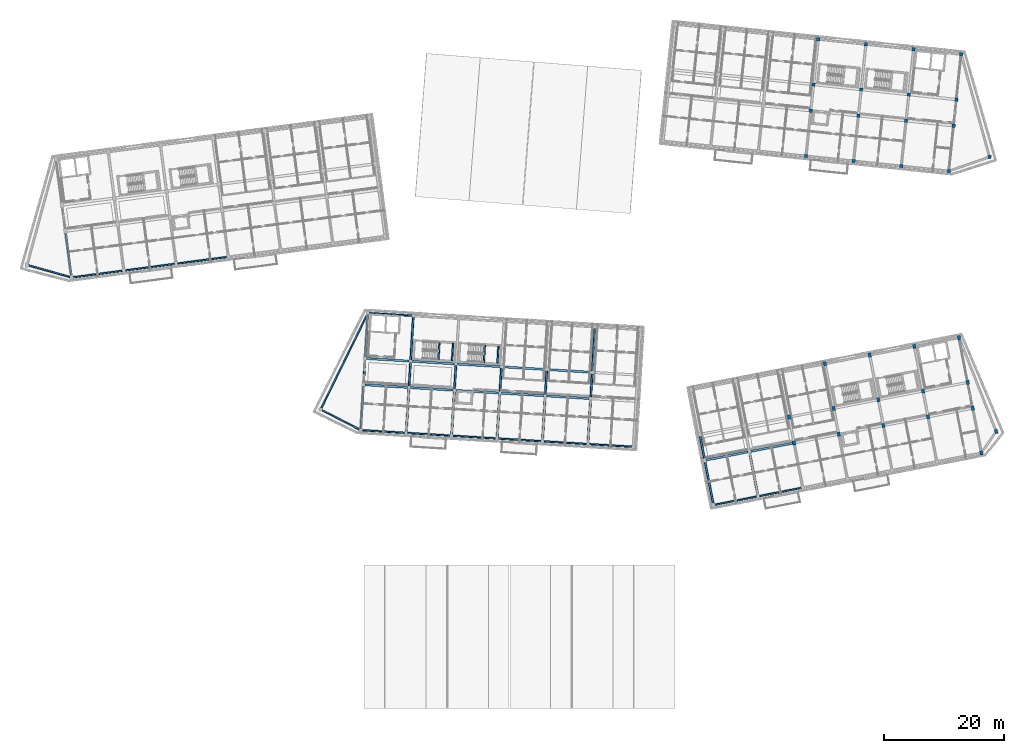
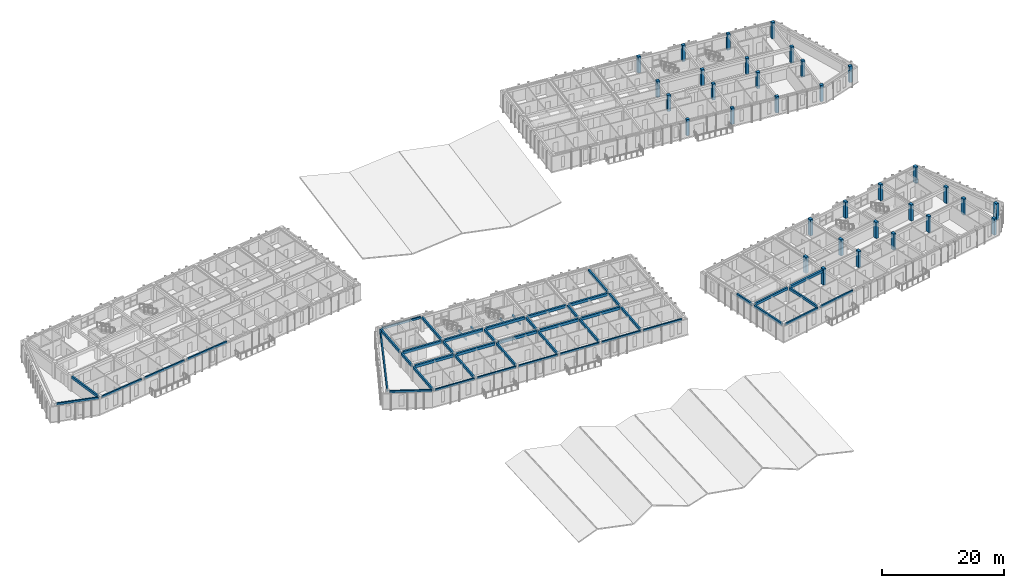
# One storey, part 2 of 74: 50 beams, 33 columns.
"""IFC4 building model written with IfcOpenShell, lengths in metres."""

from ifc_helpers import new_model, si_unit, direction, frame, origin, origin_2d, place, context, subcontext, project, spatial, rectangle, extrude, material, material_profile, profile_set, type_object, element, save


model = new_model("IFC4")

# Units and contexts
model_context = context("Model", 3, precision=1e-05, world=origin(), true_north=direction((0.0, 1.0)))
body_context = subcontext(model_context, "Body", "Model", "MODEL_VIEW")
ifc_project = project(units=[si_unit("LENGTHUNIT", "METRE"), si_unit("AREAUNIT", "SQUARE_METRE"), si_unit("VOLUMEUNIT", "CUBIC_METRE"), si_unit("PLANEANGLEUNIT", "RADIAN"), si_unit("MASSUNIT", "GRAM", prefix="KILO")], contexts=[model_context])

# Site, building, storey
site_placement = place(None, origin())
site = spatial("IfcSite", under=ifc_project, at=site_placement, CompositionType="ELEMENT")
building_placement = place(site_placement, origin())
building = spatial("IfcBuilding", under=site, at=building_placement, Name="Kestramere Prow Commons", CompositionType="ELEMENT")
storey_placement = place(building_placement, frame((0.0, 0.0, 11.64990234375)))
storey = spatial("IfcBuildingStorey", under=building, at=storey_placement, Name="L03", CompositionType="ELEMENT", Elevation=11.64990234375)

# Columns
ifc_material_1 = material(Name="Precast concrete C40/50", Category="concrete")
ifc_material_profile_1 = material_profile(ifc_material_1, rectangle(XDim=0.550048828125, YDim=0.550048828125, at=origin_2d()), Name="PC-COL 550x550")
ifc_profile_set_1 = profile_set([ifc_material_profile_1], Name="Precast concrete C40/50")
column_type_1 = type_object("IfcColumnType", Name="C-B2 PC-COL 550x550", PredefinedType="COLUMN", material=ifc_profile_set_1)
for number, where, z_axis, x_axis, name in (
    (1, (133.868408203125, 92.291259765625, 0.0), (0.0, 0.0, 1.0), (0.994521895368, -0.104528463268, 0.0), "Block B L03 Column 4-1"),
    (2, (134.662841796875, 99.849609375, 0.0), (0.0, 0.0, 1.0), (0.994521895368, -0.104528463268, 0.0), "Block B L03 Column 4-2"),
    (3, (135.122802734375, 104.2255859375, 0.0), (0.0, 0.0, 1.0), (0.994521895368, -0.104528463268, 0.0), "Block B L03 Column 4-3"),
    (4, (135.917236328125, 111.783935546875, 0.0), (0.0, 0.0, 1.0), (0.994521895368, -0.104528463268, 0.0), "Block B L03 Column 4-4"),
    (5, (141.82470703125, 91.455078125, 0.0), (0.0, 0.0, 1.0), (0.994521895368, -0.104528463268, 0.0), "Block B L03 Column 5-1"),
    (6, (142.619140625, 99.013427734375, 0.0), (0.0, 0.0, 1.0), (0.994521895368, -0.104528463268, 0.0), "Block B L03 Column 5-2"),
    (7, (143.0791015625, 103.389404296875, 0.0), (0.0, 0.0, 1.0), (0.994521895368, -0.104528463268, 0.0), "Block B L03 Column 5-3"),
    (8, (143.87353515625, 110.94775390625, 0.0), (0.0, 0.0, 1.0), (0.994521895368, -0.104528463268, 0.0), "Block B L03 Column 5-4"),
    (9, (149.78076171875, 90.618896484375, 0.0), (0.0, 0.0, 1.0), (0.994521895368, -0.104528463268, 0.0), "Block B L03 Column 6-1"),
    (10, (150.5751953125, 98.17724609375, 0.0), (0.0, 0.0, 1.0), (0.994521895368, -0.104528463268, 0.0), "Block B L03 Column 6-2"),
    (11, (151.03515625, 102.55322265625, 0.0), (0.0, 0.0, 1.0), (0.994521895368, -0.104528463268, 0.0), "Block B L03 Column 6-3"),
    (12, (151.82958984375, 110.111572265625, 0.0), (0.0, 0.0, 1.0), (0.994521895368, -0.104528463268, 0.0), "Block B L03 Column 6-4"),
    (13, (157.737060546875, 89.78271484375, 0.0), (0.0, 0.0, 1.0), (0.994521895368, -0.104528463268, 0.0), "Block B L03 Column 7-1"),
    (14, (158.531494140625, 97.341064453125, 0.0), (0.0, 0.0, 1.0), (0.994521895368, -0.104528463268, 0.0), "Block B L03 Column 7-2"),
    (15, (158.991455078125, 101.716796875, 0.0), (0.0, 0.0, 1.0), (0.994521895368, -0.104528463268, 0.0), "Block B L03 Column 7-3"),
    (16, (159.785888671875, 109.275146484375, 0.0), (0.0, 0.0, 1.0), (0.994521895368, -0.104528463268, 0.0), "Block B L03 Column 7-4"),
    (17, (164.520263671875, 92.136474609375, 0.0), (0.0, 0.0, 1.0), (0.994521895368, -0.104528463268, 0.0), "Block B L03 Prow Apex Column"),
):
    element("IfcColumn", number, at=place(storey_placement, frame(where, z_axis=z_axis, x_axis=x_axis)), inside=storey, type_object=column_type_1, Name=name, PredefinedType="COLUMN", context=body_context, shape_type="SweptSolid", body=[
        extrude(rectangle(XDim=0.550048828125, YDim=0.550048828125, at=origin_2d()), origin(), (0.0, 0.0, 1.0), 3.25),
    ])
ifc_material_profile_2 = material_profile(ifc_material_1, rectangle(XDim=0.5, YDim=0.699951171875, at=origin_2d()), Name="PC-COL 500x700")
ifc_profile_set_2 = profile_set([ifc_material_profile_2], Name="Precast concrete C40/50")
column_type_2 = type_object("IfcColumnType", Name="C-D2 PC-COL 500x700", PredefinedType="COLUMN", material=ifc_profile_set_2)
for number, where, z_axis, x_axis, name in (
    (18, (131.87060546875, 44.360595703125, 0.0), (0.0, 0.0, 1.0), (0.981627183448, 0.190808995377, 0.0), "Block D L03 Column 3-2"),
    (19, (131.031005859375, 48.679931640625, 0.0), (0.0, 0.0, 1.0), (0.981627183448, 0.190808995377, 0.0), "Block D L03 Column 3-3"),
    (20, (139.3310546875, 45.810791015625, 0.0), (0.0, 0.0, 1.0), (0.981627183448, 0.190808995377, 0.0), "Block D L03 Column 4-2"),
    (21, (138.491455078125, 50.1298828125, 0.0), (0.0, 0.0, 1.0), (0.981627183448, 0.190808995377, 0.0), "Block D L03 Column 4-3"),
    (22, (137.041259765625, 57.59033203125, 0.0), (0.0, 0.0, 1.0), (0.981627183448, 0.190808995377, 0.0), "Block D L03 Column 4-4"),
    (23, (146.791259765625, 47.260986328125, 0.0), (0.0, 0.0, 1.0), (0.981627183448, 0.190808995377, 0.0), "Block D L03 Column 5-2"),
    (24, (145.95166015625, 51.580078125, 0.0), (0.0, 0.0, 1.0), (0.981627183448, 0.190808995377, 0.0), "Block D L03 Column 5-3"),
    (25, (144.501708984375, 59.04052734375, 0.0), (0.0, 0.0, 1.0), (0.981627183448, 0.190808995377, 0.0), "Block D L03 Column 5-4"),
    (26, (154.251708984375, 48.711181640625, 0.0), (0.0, 0.0, 1.0), (0.981627183448, 0.190808995377, 0.0), "Block D L03 Column 6-2"),
    (27, (153.412109375, 53.0302734375, 0.0), (0.0, 0.0, 1.0), (0.981627183448, 0.190808995377, 0.0), "Block D L03 Column 6-3"),
    (28, (151.9619140625, 60.49072265625, 0.0), (0.0, 0.0, 1.0), (0.981627183448, 0.190808995377, 0.0), "Block D L03 Column 6-4"),
    (29, (163.162109375, 42.700927734375, 0.0), (0.0, 0.0, 1.0), (0.981627183448, 0.190808995377, 0.0), "Block D L03 Column 7-1"),
    (30, (161.712158203125, 50.161376953125, 0.0), (0.0, 0.0, 1.0), (0.981627183448, 0.190808995377, 0.0), "Block D L03 Column 7-2"),
    (31, (160.87255859375, 54.48046875, 0.0), (0.0, 0.0, 1.0), (0.981627183448, 0.190808995377, 0.0), "Block D L03 Column 7-3"),
    (32, (159.42236328125, 61.940673828125, 0.0), (0.0, 0.0, 1.0), (0.981627183448, 0.190808995377, 0.0), "Block D L03 Column 7-4"),
    (33, (165.623291015625, 46.286376953125, 0.0), (0.0, 0.0, 1.0), (0.981627183448, 0.190808995377, 0.0), "Block D L03 Prow Apex Column"),
):
    element("IfcColumn", number, at=place(storey_placement, frame(where, z_axis=z_axis, x_axis=x_axis)), inside=storey, type_object=column_type_2, Name=name, PredefinedType="COLUMN", context=body_context, shape_type="SweptSolid", body=[
        extrude(rectangle(XDim=0.5, YDim=0.699951171875, at=origin_2d()), origin(), (0.0, 0.0, 1.0), 3.25),
    ])

# Beams
ifc_material_profile_3 = material_profile(ifc_material_1, rectangle(XDim=0.35009765625, YDim=0.550048828125, at=origin_2d()), Name="PC-BM 350x550")
ifc_profile_set_3 = profile_set([ifc_material_profile_3], Name="Precast concrete C40/50")
beam_type_1 = type_object("IfcBeamType", Name="BM-C1 PC-BM 350x550", PredefinedType="BEAM", material=ifc_profile_set_3)
for number, where, z_axis, x_axis, name in (
    (34, (60.213623046875, 54.070556640625, 2.72509765625), (0.998135568114, -0.061035953884, 0.0), (0.061035953884, 0.998135568114, 0.0), "Block C L03 Longitudinal Beam 2-1"),
    (35, (67.79931640625, 53.606689453125, 2.72509765625), (0.998133472633, -0.061070212127, 0.0), (0.061070212127, 0.998133472633, 0.0), "Block C L03 Longitudinal Beam 2-2"),
    (36, (75.38525390625, 53.142578125, 2.72509765625), (0.998135568114, -0.061035953884, 0.0), (0.061035953884, 0.998135568114, 0.0), "Block C L03 Longitudinal Beam 2-3"),
    (37, (82.970947265625, 52.6787109375, 2.72509765625), (0.998133472633, -0.061070212127, 0.0), (0.061070212127, 0.998133472633, 0.0), "Block C L03 Longitudinal Beam 2-4"),
    (38, (90.556884765625, 52.214599609375, 2.72509765625), (0.998135568114, -0.061035953884, 0.0), (0.061035953884, 0.998135568114, 0.0), "Block C L03 Longitudinal Beam 2-5"),
    (39, (60.482177734375, 58.46240234375, 2.72509765625), (0.998133472633, -0.061070212127, 0.0), (0.061070212127, 0.998133472633, 0.0), "Block C L03 Longitudinal Beam 3-1"),
):
    element("IfcBeam", number, at=place(storey_placement, frame(where, z_axis=z_axis, x_axis=x_axis)), inside=storey, type_object=beam_type_1, Name=name, PredefinedType="BEAM", context=body_context, shape_type="SweptSolid", body=[
        extrude(rectangle(XDim=0.35009765625, YDim=0.550048828125, at=origin_2d()), origin(), (0.0, 0.0, 1.0), 7.099853515625),
    ])
beam_1_placement = place(storey_placement, frame((68.06787109375, 57.998291015625, 2.72509765625), z_axis=(0.99813569621, -0.061033859059, 0.0), x_axis=(0.061033859059, 0.99813569621, 0.0)))
element("IfcBeam", 40, at=beam_1_placement, inside=storey, type_object=beam_type_1, Name="Block C L03 Longitudinal Beam 3-2", PredefinedType="BEAM", context=body_context, shape_type="SweptSolid", body=[
    extrude(rectangle(XDim=0.35009765625, YDim=0.550048828125, at=origin_2d()), origin(), (0.0, 0.0, 1.0), 7.10009765625),
])
beam_2_placement = place(storey_placement, frame((75.65380859375, 57.534423828125, 2.72509765625), z_axis=(0.998135568114, -0.061035953884, 0.0), x_axis=(0.061035953884, 0.998135568114, 0.0)))
element("IfcBeam", 41, at=beam_2_placement, inside=storey, type_object=beam_type_1, Name="Block C L03 Longitudinal Beam 3-3", PredefinedType="BEAM", context=body_context, shape_type="SweptSolid", body=[
    extrude(rectangle(XDim=0.35009765625, YDim=0.550048828125, at=origin_2d()), origin(), (0.0, 0.0, 1.0), 7.099853515625),
])
beam_3_placement = place(storey_placement, frame((83.239501953125, 57.070556640625, 2.72509765625), z_axis=(0.998133600873, -0.061068116134, 0.0), x_axis=(0.061068116134, 0.998133600873, 0.0)))
element("IfcBeam", 42, at=beam_3_placement, inside=storey, type_object=beam_type_1, Name="Block C L03 Longitudinal Beam 3-4", PredefinedType="BEAM", context=body_context, shape_type="SweptSolid", body=[
    extrude(rectangle(XDim=0.35009765625, YDim=0.550048828125, at=origin_2d()), origin(), (0.0, 0.0, 1.0), 7.10009765625),
])
beam_4_placement = place(storey_placement, frame((90.825439453125, 56.6064453125, 2.72509765625), z_axis=(0.998135568114, -0.061035953884, 0.0), x_axis=(0.061035953884, 0.998135568114, 0.0)))
element("IfcBeam", 43, at=beam_4_placement, inside=storey, type_object=beam_type_1, Name="Block C L03 Longitudinal Beam 3-5", PredefinedType="BEAM", context=body_context, shape_type="SweptSolid", body=[
    extrude(rectangle(XDim=0.35009765625, YDim=0.550048828125, at=origin_2d()), origin(), (0.0, 0.0, 1.0), 7.099853515625),
])
ifc_material_profile_4 = material_profile(ifc_material_1, rectangle(XDim=0.35009765625, YDim=0.5, at=origin_2d()), Name="PC-BM 350x500")
ifc_profile_set_4 = profile_set([ifc_material_profile_4], Name="Precast concrete C40/50")
beam_type_2 = type_object("IfcBeamType", Name="BM-D1 PC-BM 350x500", PredefinedType="BEAM", material=ifc_profile_set_4)
beam_5_placement = place(storey_placement, frame((117.1953125, 41.508056640625, 2.75), z_axis=(0.981627020401, 0.190809834175, 0.0), x_axis=(-0.190809834175, 0.981627020401, 0.0)))
element("IfcBeam", 44, at=beam_5_placement, inside=storey, type_object=beam_type_2, Name="Block D L03 Longitudinal Beam 2-1", PredefinedType="BEAM", context=body_context, shape_type="SweptSolid", body=[
    extrude(rectangle(XDim=0.35009765625, YDim=0.5, at=origin_2d()), origin(), (0.0, 0.0, 1.0), 7.099853515625),
])
beam_6_placement = place(storey_placement, frame((124.655517578125, 42.958251953125, 2.75), z_axis=(0.98162827229, 0.190803393686, 0.0), x_axis=(-0.190803393686, 0.98162827229, 0.0)))
element("IfcBeam", 45, at=beam_6_placement, inside=storey, type_object=beam_type_2, Name="Block D L03 Longitudinal Beam 2-2", PredefinedType="BEAM", context=body_context, shape_type="SweptSolid", body=[
    extrude(rectangle(XDim=0.35009765625, YDim=0.5, at=origin_2d()), origin(), (0.0, 0.0, 1.0), 7.10009765625),
])
ifc_material_2 = material(Name="Concrete C40/50", Category="concrete")
ifc_material_profile_5 = material_profile(ifc_material_2, rectangle(XDim=0.25, YDim=0.35009765625, at=origin_2d()), Name="PC-BM 250x350")
ifc_profile_set_5 = profile_set([ifc_material_profile_5], Name="Concrete C40/50")
beam_type_3 = type_object("IfcBeamType", Name="BM-ST-TRIM", PredefinedType="BEAM", material=ifc_profile_set_5)
for number, where, z_axis, x_axis, name in (
    (46, (72.462158203125, 58.260498046875, 1.25), (0.061073995712, 0.99813324113, 0.0), (-0.99813324113, 0.061073995712, 0.0), "ST-C1 L03 Landing Trimmer Beam 1A"),
    (47, (74.73779296875, 58.121337890625, 1.25), (0.061073995712, 0.99813324113, 0.0), (-0.99813324113, 0.061073995712, 0.0), "ST-C1 L03 Landing Trimmer Beam 1B"),
):
    element("IfcBeam", number, at=place(storey_placement, frame(where, z_axis=z_axis, x_axis=x_axis)), inside=storey, type_object=beam_type_3, Name=name, PredefinedType="BEAM", context=body_context, shape_type="SweptSolid", body=[
        extrude(rectangle(XDim=0.25, YDim=0.35009765625, at=origin_2d()), origin(), (0.0, 0.0, 1.0), 2.89013671875),
    ])
for number, where, z_axis, x_axis, name in (
    (48, (80.0478515625, 57.796630859375, 1.25), (0.06107914562, 0.998132926003, 0.0), (-0.998132926003, 0.06107914562, 0.0), "ST-C2 L03 Landing Trimmer Beam 1A"),
    (49, (82.32373046875, 57.657470703125, 1.25), (0.06107914562, 0.998132926003, 0.0), (-0.998132926003, 0.06107914562, 0.0), "ST-C2 L03 Landing Trimmer Beam 1B"),
):
    element("IfcBeam", number, at=place(storey_placement, frame(where, z_axis=z_axis, x_axis=x_axis)), inside=storey, type_object=beam_type_3, Name=name, PredefinedType="BEAM", context=body_context, shape_type="SweptSolid", body=[
        extrude(rectangle(XDim=0.25, YDim=0.35009765625, at=origin_2d()), origin(), (0.0, 0.0, 1.0), 2.889892578125),
    ])
ifc_material_profile_6 = material_profile(ifc_material_1, rectangle(XDim=0.300048828125, YDim=0.5, at=origin_2d()), Name="PC-BM 300x500")
ifc_profile_set_6 = profile_set([ifc_material_profile_6], Name="Precast concrete C40/50")
beam_type_4 = type_object("IfcBeamType", Name="BM-TIE-01 PC-BM 300x500", PredefinedType="BEAM", material=ifc_profile_set_6)
beam_7_placement = place(storey_placement, frame((11.151123046875, 72.371826171875, 2.75), z_axis=(-0.130519009654, 0.99144580695, 0.0), x_axis=(-0.99144580695, -0.130519009654, 0.0)))
element("IfcBeam", 50, at=beam_7_placement, inside=storey, type_object=beam_type_4, Name="Block A L03 Transverse Beam 1-1", PredefinedType="BEAM", context=body_context, shape_type="SweptSolid", body=[
    extrude(rectangle(XDim=0.300048828125, YDim=0.5, at=origin_2d()), origin(), (0.0, 0.0, 1.0), 7.050048828125),
])
beam_8_placement = place(storey_placement, frame((59.515380859375, 46.74951171875, 2.75), z_axis=(0.061035953884, 0.998135568114, 0.0), x_axis=(-0.998135568114, 0.061035953884, 0.0)))
element("IfcBeam", 51, at=beam_8_placement, inside=storey, type_object=beam_type_4, Name="Block C L03 Transverse Beam 1-1", PredefinedType="BEAM", context=body_context, shape_type="SweptSolid", body=[
    extrude(rectangle(XDim=0.300048828125, YDim=0.5, at=origin_2d()), origin(), (0.0, 0.0, 1.0), 7.099853515625),
])
beam_9_placement = place(storey_placement, frame((59.979248046875, 54.33544921875, 2.75), z_axis=(0.061037511668, 0.998135472854, 0.0), x_axis=(-0.998135472854, 0.061037511668, 0.0)))
element("IfcBeam", 52, at=beam_9_placement, inside=storey, type_object=beam_type_4, Name="Block C L03 Transverse Beam 1-2", PredefinedType="BEAM", context=body_context, shape_type="SweptSolid", body=[
    extrude(rectangle(XDim=0.300048828125, YDim=0.5, at=origin_2d()), origin(), (0.0, 0.0, 1.0), 3.89990234375),
])
beam_10_placement = place(storey_placement, frame((60.247802734375, 58.72705078125, 2.75), z_axis=(0.061068116134, 0.998133600873, 0.0), x_axis=(-0.998133600873, 0.061068116134, 0.0)))
element("IfcBeam", 53, at=beam_10_placement, inside=storey, type_object=beam_type_4, Name="Block C L03 Transverse Beam 1-3", PredefinedType="BEAM", context=body_context, shape_type="SweptSolid", body=[
    extrude(rectangle(XDim=0.300048828125, YDim=0.5, at=origin_2d()), origin(), (0.0, 0.0, 1.0), 7.10009765625),
])
beam_11_placement = place(storey_placement, frame((67.10107421875, 46.28564453125, 2.75), z_axis=(0.061035953884, 0.998135568114, 0.0), x_axis=(-0.998135568114, 0.061035953884, 0.0)))
element("IfcBeam", 54, at=beam_11_placement, inside=storey, type_object=beam_type_4, Name="Block C L03 Transverse Beam 2-1", PredefinedType="BEAM", context=body_context, shape_type="SweptSolid", body=[
    extrude(rectangle(XDim=0.300048828125, YDim=0.5, at=origin_2d()), origin(), (0.0, 0.0, 1.0), 7.099853515625),
])
beam_12_placement = place(storey_placement, frame((67.56494140625, 53.871337890625, 2.75), z_axis=(0.061096063045, 0.998131890624, 0.0), x_axis=(-0.998131890624, 0.061096063045, 0.0)))
element("IfcBeam", 55, at=beam_12_placement, inside=storey, type_object=beam_type_4, Name="Block C L03 Transverse Beam 2-2", PredefinedType="BEAM", context=body_context, shape_type="SweptSolid", body=[
    extrude(rectangle(XDim=0.300048828125, YDim=0.5, at=origin_2d()), origin(), (0.0, 0.0, 1.0), 3.900146484375),
])
beam_13_placement = place(storey_placement, frame((67.833740234375, 58.26318359375, 2.75), z_axis=(0.061035953884, 0.998135568114, 0.0), x_axis=(-0.998135568114, 0.061035953884, 0.0)))
element("IfcBeam", 56, at=beam_13_placement, inside=storey, type_object=beam_type_4, Name="Block C L03 Transverse Beam 2-3", PredefinedType="BEAM", context=body_context, shape_type="SweptSolid", body=[
    extrude(rectangle(XDim=0.300048828125, YDim=0.5, at=origin_2d()), origin(), (0.0, 0.0, 1.0), 7.099853515625),
])
beam_14_placement = place(storey_placement, frame((74.68701171875, 45.821533203125, 2.75), z_axis=(0.061033859059, 0.99813569621, 0.0), x_axis=(-0.99813569621, 0.061033859059, 0.0)))
element("IfcBeam", 57, at=beam_14_placement, inside=storey, type_object=beam_type_4, Name="Block C L03 Transverse Beam 3-1", PredefinedType="BEAM", context=body_context, shape_type="SweptSolid", body=[
    extrude(rectangle(XDim=0.300048828125, YDim=0.5, at=origin_2d()), origin(), (0.0, 0.0, 1.0), 7.10009765625),
])
beam_15_placement = place(storey_placement, frame((75.15087890625, 53.407470703125, 2.75), z_axis=(0.061037511668, 0.998135472854, 0.0), x_axis=(-0.998135472854, 0.061037511668, 0.0)))
element("IfcBeam", 58, at=beam_15_placement, inside=storey, type_object=beam_type_4, Name="Block C L03 Transverse Beam 3-2", PredefinedType="BEAM", context=body_context, shape_type="SweptSolid", body=[
    extrude(rectangle(XDim=0.300048828125, YDim=0.5, at=origin_2d()), origin(), (0.0, 0.0, 1.0), 3.89990234375),
])
beam_16_placement = place(storey_placement, frame((82.272705078125, 45.357666015625, 2.75), z_axis=(0.061070212127, 0.998133472633, 0.0), x_axis=(-0.998133472633, 0.061070212127, 0.0)))
element("IfcBeam", 59, at=beam_16_placement, inside=storey, type_object=beam_type_4, Name="Block C L03 Transverse Beam 4-1", PredefinedType="BEAM", context=body_context, shape_type="SweptSolid", body=[
    extrude(rectangle(XDim=0.300048828125, YDim=0.5, at=origin_2d()), origin(), (0.0, 0.0, 1.0), 7.099853515625),
])
beam_17_placement = place(storey_placement, frame((82.73681640625, 52.943359375, 2.75), z_axis=(0.061033697925, 0.998135706063, 0.0), x_axis=(-0.998135706063, 0.061033697925, 0.0)))
element("IfcBeam", 60, at=beam_17_placement, inside=storey, type_object=beam_type_4, Name="Block C L03 Transverse Beam 4-2", PredefinedType="BEAM", context=body_context, shape_type="SweptSolid", body=[
    extrude(rectangle(XDim=0.300048828125, YDim=0.5, at=origin_2d()), origin(), (0.0, 0.0, 1.0), 3.900146484375),
])
beam_18_placement = place(storey_placement, frame((89.858642578125, 44.8935546875, 2.75), z_axis=(0.061033859059, 0.99813569621, 0.0), x_axis=(-0.99813569621, 0.061033859059, 0.0)))
element("IfcBeam", 61, at=beam_18_placement, inside=storey, type_object=beam_type_4, Name="Block C L03 Transverse Beam 5-1", PredefinedType="BEAM", context=body_context, shape_type="SweptSolid", body=[
    extrude(rectangle(XDim=0.300048828125, YDim=0.5, at=origin_2d()), origin(), (0.0, 0.0, 1.0), 7.10009765625),
])
beam_19_placement = place(storey_placement, frame((90.322509765625, 52.4794921875, 2.75), z_axis=(0.061033697925, 0.998135706063, 0.0), x_axis=(-0.998135706063, 0.061033697925, 0.0)))
element("IfcBeam", 62, at=beam_19_placement, inside=storey, type_object=beam_type_4, Name="Block C L03 Transverse Beam 5-2", PredefinedType="BEAM", context=body_context, shape_type="SweptSolid", body=[
    extrude(rectangle(XDim=0.300048828125, YDim=0.5, at=origin_2d()), origin(), (0.0, 0.0, 1.0), 3.900146484375),
])
beam_20_placement = place(storey_placement, frame((97.4443359375, 44.4296875, 2.75), z_axis=(0.061070212127, 0.998133472633, 0.0), x_axis=(-0.998133472633, 0.061070212127, 0.0)))
element("IfcBeam", 63, at=beam_20_placement, inside=storey, type_object=beam_type_4, Name="Block C L03 Transverse Beam 6-1", PredefinedType="BEAM", context=body_context, shape_type="SweptSolid", body=[
    extrude(rectangle(XDim=0.300048828125, YDim=0.5, at=origin_2d()), origin(), (0.0, 0.0, 1.0), 7.099853515625),
])
beam_21_placement = place(storey_placement, frame((97.908447265625, 52.015625, 2.75), z_axis=(0.061037511668, 0.998135472854, 0.0), x_axis=(-0.998135472854, 0.061037511668, 0.0)))
element("IfcBeam", 64, at=beam_21_placement, inside=storey, type_object=beam_type_4, Name="Block C L03 Transverse Beam 6-2", PredefinedType="BEAM", context=body_context, shape_type="SweptSolid", body=[
    extrude(rectangle(XDim=0.300048828125, YDim=0.5, at=origin_2d()), origin(), (0.0, 0.0, 1.0), 3.89990234375),
])
beam_22_placement = place(storey_placement, frame((98.177001953125, 56.4072265625, 2.75), z_axis=(0.061033859059, 0.99813569621, 0.0), x_axis=(-0.99813569621, 0.061033859059, 0.0)))
element("IfcBeam", 65, at=beam_22_placement, inside=storey, type_object=beam_type_4, Name="Block C L03 Transverse Beam 6-3", PredefinedType="BEAM", context=body_context, shape_type="SweptSolid", body=[
    extrude(rectangle(XDim=0.300048828125, YDim=0.5, at=origin_2d()), origin(), (0.0, 0.0, 1.0), 7.10009765625),
])
beam_23_placement = place(storey_placement, frame((118.333251953125, 34.343505859375, 2.75), z_axis=(-0.190819465253, 0.981625148252, 0.0), x_axis=(-0.981625148252, -0.190819465253, 0.0)))
element("IfcBeam", 66, at=beam_23_placement, inside=storey, type_object=beam_type_4, Name="Block D L03 Transverse Beam 1-1", PredefinedType="BEAM", context=body_context, shape_type="SweptSolid", body=[
    extrude(rectangle(XDim=0.300048828125, YDim=0.5, at=origin_2d()), origin(), (0.0, 0.0, 1.0), 6.89990234375),
])
beam_24_placement = place(storey_placement, frame((116.883056640625, 41.803955078125, 2.75), z_axis=(-0.190821974723, 0.981624660429, 0.0), x_axis=(-0.981624660429, -0.190821974723, 0.0)))
element("IfcBeam", 67, at=beam_24_placement, inside=storey, type_object=beam_type_4, Name="Block D L03 Transverse Beam 1-2", PredefinedType="BEAM", context=body_context, shape_type="SweptSolid", body=[
    extrude(rectangle(XDim=0.300048828125, YDim=0.5, at=origin_2d()), origin(), (0.0, 0.0, 1.0), 3.699951171875),
])
beam_25_placement = place(storey_placement, frame((125.793701171875, 35.793701171875, 2.75), z_axis=(-0.190819465253, 0.981625148252, 0.0), x_axis=(-0.981625148252, -0.190819465253, 0.0)))
element("IfcBeam", 68, at=beam_25_placement, inside=storey, type_object=beam_type_4, Name="Block D L03 Transverse Beam 2-1", PredefinedType="BEAM", context=body_context, shape_type="SweptSolid", body=[
    extrude(rectangle(XDim=0.300048828125, YDim=0.5, at=origin_2d()), origin(), (0.0, 0.0, 1.0), 6.89990234375),
])
ifc_material_profile_7 = material_profile(ifc_material_1, rectangle(XDim=0.25, YDim=0.39990234375, at=origin_2d()), Name="PC-SP 250x400")
ifc_profile_set_7 = profile_set([ifc_material_profile_7], Name="Precast concrete C40/50")
beam_type_5 = type_object("IfcBeamType", Name="SP-EXT-01 PC-SP 250x400", PredefinedType="SPANDREL", material=ifc_profile_set_7)
beam_26_placement = place(storey_placement, frame((10.930419921875, 72.075927734375, 2.800048828125), z_axis=(-0.96246176941, 0.271417284681, 0.0), x_axis=(-0.271417284681, -0.96246176941, 0.0)))
element("IfcBeam", 69, at=beam_26_placement, inside=storey, type_object=beam_type_5, Name="Block A L03 Prow Facet Beam S", PredefinedType="SPANDREL", context=body_context, shape_type="SweptSolid", body=[
    extrude(rectangle(XDim=0.25, YDim=0.39990234375, at=origin_2d()), origin(), (0.0, 0.0, 1.0), 7.167236328125),
])
for number, where, z_axis, x_axis, name in (
    (70, (11.47265625, 72.035888671875, 2.800048828125), (0.991443917843, 0.130533358852, 0.0), (-0.130533358852, 0.991443917843, 0.0), "Block A L03 Longitudinal Beam 1-1"),
    (71, (20.197265625, 73.1845703125, 2.800048828125), (0.991443917843, 0.130533358852, 0.0), (-0.130533358852, 0.991443917843, 0.0), "Block A L03 Longitudinal Beam 1-2"),
    (72, (28.922119140625, 74.333251953125, 2.800048828125), (0.991447747213, 0.130504270221, 0.0), (-0.130504270221, 0.991447747213, 0.0), "Block A L03 Longitudinal Beam 1-3"),
):
    element("IfcBeam", number, at=place(storey_placement, frame(where, z_axis=z_axis, x_axis=x_axis)), inside=storey, type_object=beam_type_5, Name=name, PredefinedType="SPANDREL", context=body_context, shape_type="SweptSolid", body=[
        extrude(rectangle(XDim=0.25, YDim=0.39990234375, at=origin_2d()), origin(), (0.0, 0.0, 1.0), 8.25),
    ])
beam_27_placement = place(storey_placement, frame((59.251220703125, 46.628662109375, 2.800048828125), z_axis=(-0.888240269485, 0.459379171998, 0.0), x_axis=(-0.459379171998, -0.888240269485, 0.0)))
element("IfcBeam", 73, at=beam_27_placement, inside=storey, type_object=beam_type_5, Name="Block C L03 Prow Facet Beam S", PredefinedType="SPANDREL", context=body_context, shape_type="SweptSolid", body=[
    extrude(rectangle(XDim=0.25, YDim=0.39990234375, at=origin_2d()), origin(), (0.0, 0.0, 1.0), 6.98388671875),
])
beam_28_placement = place(storey_placement, frame((60.5732421875, 65.81201171875, 2.800048828125), z_axis=(-0.440448933016, -0.897777665909, 0.0), x_axis=(0.897777665909, -0.440448933016, 0.0)))
element("IfcBeam", 74, at=beam_28_placement, inside=storey, type_object=beam_type_5, Name="Block C L03 Prow Facet Beam N", PredefinedType="SPANDREL", context=body_context, shape_type="SweptSolid", body=[
    extrude(rectangle(XDim=0.25, YDim=0.39990234375, at=origin_2d()), origin(), (0.0, 0.0, 1.0), 17.37060546875),
])
for number, where, z_axis, x_axis, name in (
    (75, (59.74951171875, 46.484619140625, 2.800048828125), (0.998135568114, -0.061035953884, 0.0), (0.061035953884, 0.998135568114, 0.0), "Block C L03 Longitudinal Beam 1-1"),
    (76, (67.33544921875, 46.020751953125, 2.800048828125), (0.998135568114, -0.061035953884, 0.0), (0.061035953884, 0.998135568114, 0.0), "Block C L03 Longitudinal Beam 1-2"),
):
    element("IfcBeam", number, at=place(storey_placement, frame(where, z_axis=z_axis, x_axis=x_axis)), inside=storey, type_object=beam_type_5, Name=name, PredefinedType="SPANDREL", context=body_context, shape_type="SweptSolid", body=[
        extrude(rectangle(XDim=0.25, YDim=0.39990234375, at=origin_2d()), origin(), (0.0, 0.0, 1.0), 7.099853515625),
    ])
beam_29_placement = place(storey_placement, frame((74.921142578125, 45.556884765625, 2.800048828125), z_axis=(0.998133600873, -0.061068116134, 0.0), x_axis=(0.061068116134, 0.998133600873, 0.0)))
element("IfcBeam", 77, at=beam_29_placement, inside=storey, type_object=beam_type_5, Name="Block C L03 Longitudinal Beam 1-3", PredefinedType="SPANDREL", context=body_context, shape_type="SweptSolid", body=[
    extrude(rectangle(XDim=0.25, YDim=0.39990234375, at=origin_2d()), origin(), (0.0, 0.0, 1.0), 7.10009765625),
])
beam_30_placement = place(storey_placement, frame((82.507080078125, 45.0927734375, 2.800048828125), z_axis=(0.998135568114, -0.061035953884, 0.0), x_axis=(0.061035953884, 0.998135568114, 0.0)))
element("IfcBeam", 78, at=beam_30_placement, inside=storey, type_object=beam_type_5, Name="Block C L03 Longitudinal Beam 1-4", PredefinedType="SPANDREL", context=body_context, shape_type="SweptSolid", body=[
    extrude(rectangle(XDim=0.25, YDim=0.39990234375, at=origin_2d()), origin(), (0.0, 0.0, 1.0), 7.099853515625),
])
beam_31_placement = place(storey_placement, frame((90.0927734375, 44.62890625, 2.800048828125), z_axis=(0.998133600873, -0.061068116134, 0.0), x_axis=(0.061068116134, 0.998133600873, 0.0)))
element("IfcBeam", 79, at=beam_31_placement, inside=storey, type_object=beam_type_5, Name="Block C L03 Longitudinal Beam 1-5", PredefinedType="SPANDREL", context=body_context, shape_type="SweptSolid", body=[
    extrude(rectangle(XDim=0.25, YDim=0.39990234375, at=origin_2d()), origin(), (0.0, 0.0, 1.0), 7.10009765625),
])
beam_32_placement = place(storey_placement, frame((97.6787109375, 44.164794921875, 2.800048828125), z_axis=(0.998135568114, -0.061035953884, 0.0), x_axis=(0.061035953884, 0.998135568114, 0.0)))
element("IfcBeam", 80, at=beam_32_placement, inside=storey, type_object=beam_type_5, Name="Block C L03 Longitudinal Beam 1-6", PredefinedType="SPANDREL", context=body_context, shape_type="SweptSolid", body=[
    extrude(rectangle(XDim=0.25, YDim=0.39990234375, at=origin_2d()), origin(), (0.0, 0.0, 1.0), 7.099853515625),
])
beam_33_placement = place(storey_placement, frame((60.946044921875, 66.048095703125, 2.800048828125), z_axis=(0.99813569621, -0.061033859059, 0.0), x_axis=(0.061033859059, 0.99813569621, 0.0)))
element("IfcBeam", 81, at=beam_33_placement, inside=storey, type_object=beam_type_5, Name="Block C L03 Longitudinal Beam 4-1", PredefinedType="SPANDREL", context=body_context, shape_type="SweptSolid", body=[
    extrude(rectangle(XDim=0.25, YDim=0.39990234375, at=origin_2d()), origin(), (0.0, 0.0, 1.0), 7.10009765625),
])
beam_34_placement = place(storey_placement, frame((118.6455078125, 34.047607421875, 2.800048828125), z_axis=(0.981627020401, 0.190809834175, 0.0), x_axis=(-0.190809834175, 0.981627020401, 0.0)))
element("IfcBeam", 82, at=beam_34_placement, inside=storey, type_object=beam_type_5, Name="Block D L03 Longitudinal Beam 1-1", PredefinedType="SPANDREL", context=body_context, shape_type="SweptSolid", body=[
    extrude(rectangle(XDim=0.25, YDim=0.39990234375, at=origin_2d()), origin(), (0.0, 0.0, 1.0), 7.099853515625),
])
beam_35_placement = place(storey_placement, frame((126.105712890625, 35.497802734375, 2.800048828125), z_axis=(0.98162827229, 0.190803393686, 0.0), x_axis=(-0.190803393686, 0.98162827229, 0.0)))
element("IfcBeam", 83, at=beam_35_placement, inside=storey, type_object=beam_type_5, Name="Block D L03 Longitudinal Beam 1-2", PredefinedType="SPANDREL", context=body_context, shape_type="SweptSolid", body=[
    extrude(rectangle(XDim=0.25, YDim=0.39990234375, at=origin_2d()), origin(), (0.0, 0.0, 1.0), 7.10009765625),
])

save(model, "model.ifc")
